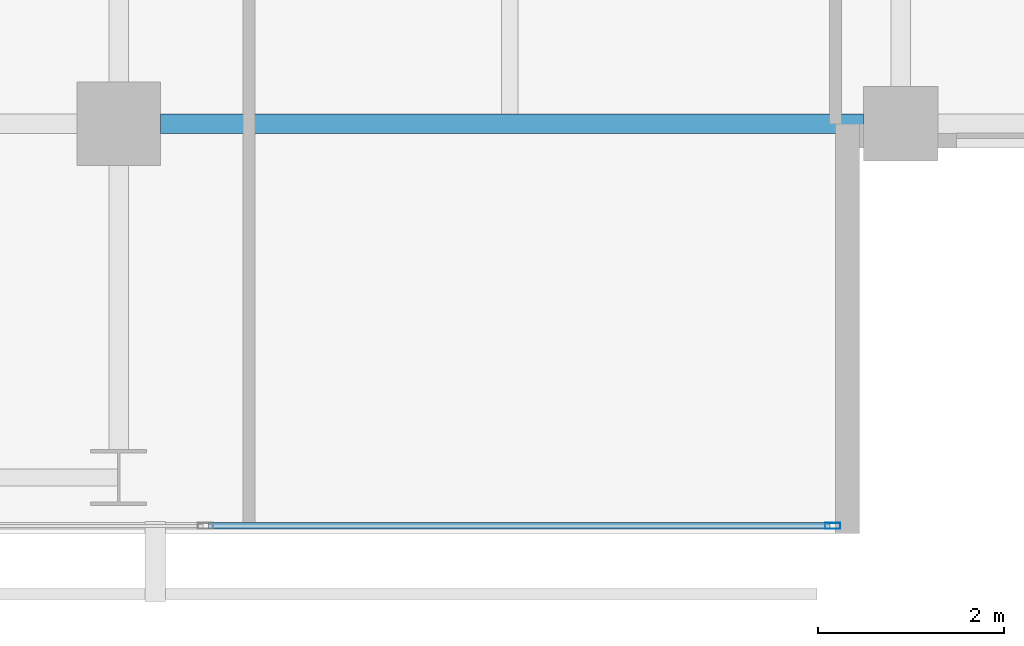
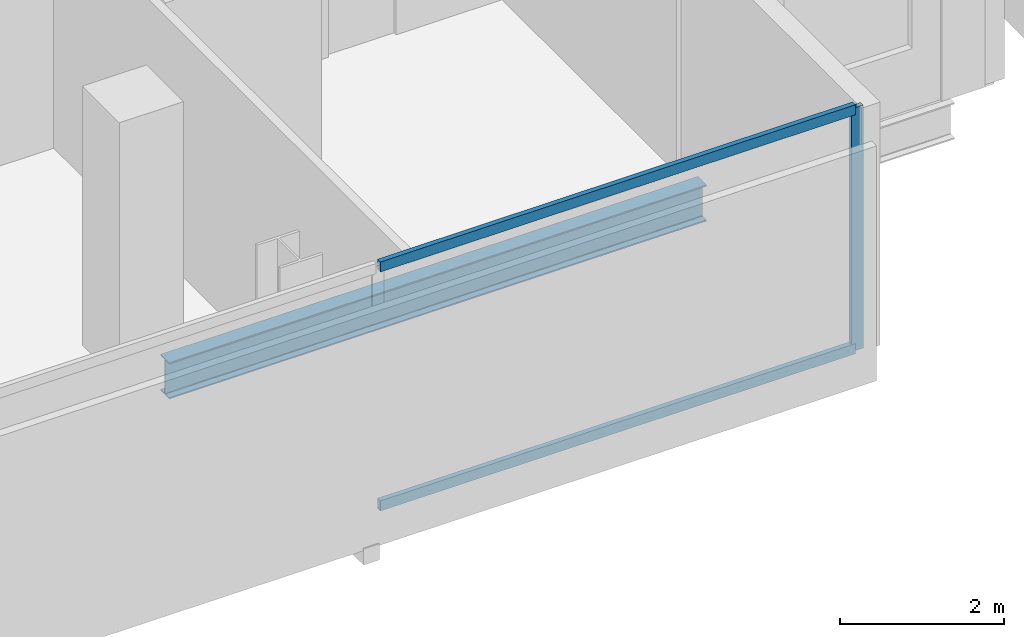
# One storey, part 13 of 33: 3 members, 1 beam, 1 element without a shape of its own.
"""IFC4 building model written with IfcOpenShell, lengths in metres."""

from ifc_helpers import new_model, si_unit, direction, frame, origin, origin_2d, place, context, subcontext, project, spatial, hollow_rectangle, i_section, extrude, material, layer, layer_set, material_profile, profile_set, type_object, element, aggregate, save


model = new_model("IFC4")

# Units and contexts
model_context = context("Model", 3, precision=1e-05, world=origin(), true_north=direction((0.0, 1.0)))
body_context = subcontext(model_context, "Body", "Model", "MODEL_VIEW")
ifc_project = project(units=[si_unit("LENGTHUNIT", "METRE"), si_unit("AREAUNIT", "SQUARE_METRE"), si_unit("VOLUMEUNIT", "CUBIC_METRE"), si_unit("PLANEANGLEUNIT", "RADIAN"), si_unit("MASSUNIT", "GRAM", prefix="KILO")], contexts=[model_context])

# Site, building, storey
site_placement = place(None, origin())
site = spatial("IfcSite", under=ifc_project, at=site_placement, CompositionType="ELEMENT")
building_placement = place(site_placement, origin())
building = spatial("IfcBuilding", under=site, at=building_placement, Name="Maruvema Waterfront Hotel and Observation Tower", CompositionType="ELEMENT")
storey_placement = place(building_placement, frame((0.0, 0.0, 200.550048828125)))
storey = spatial("IfcBuildingStorey", under=building, at=storey_placement, Name="L49", CompositionType="ELEMENT", Elevation=200.550048828125)

# Curtain wall, members
ifc_material_1 = material(Name="Anodised bronze aluminium and solar-control low-E IGU", Category="aluminium")
ifc_layer = layer(ifc_material_1, 0.159912109375, Name="Zone 2 Amber Inner Thermal Curtain Wall System CW-03")
ifc_layer_set = layer_set([ifc_layer], Name="Anodised bronze aluminium and solar-control low-E IGU")
curtain_wall_type = type_object("IfcCurtainWallType", Name="Zone 2 Amber Inner Thermal Curtain Wall System CW-03", PredefinedType="USERDEFINED", material=ifc_layer_set)
curtain_wall_placement = place(storey_placement, origin())
curtain_wall = element("IfcCurtainWall", 1, at=curtain_wall_placement, inside=storey, type_object=curtain_wall_type, Name="L49 Curtain Wall CW-L49-S", ObjectType="UNITISED CURTAIN WALL", PredefinedType="USERDEFINED")
ifc_material_2 = material(Name="Anodised architectural bronze aluminium", Category="aluminium")
ifc_material_profile_1 = material_profile(ifc_material_2, hollow_rectangle(XDim=0.070068359375, YDim=0.14990234375, WallThickness=0.00390625, at=origin_2d()), Name="ALU-T70x150")
ifc_profile_set_1 = profile_set([ifc_material_profile_1], Name="Anodised architectural bronze aluminium")
member_type_1 = type_object("IfcMemberType", Name="Curtain Wall Horizontal Transom ALU-T70x150", PredefinedType="USERDEFINED", material=ifc_profile_set_1)
member_1_placement = place(storey_placement, frame((51.36328125, 4.679931640625, 0.030029296875), z_axis=(1.0, 0.0, 0.0), x_axis=(0.0, 1.0, 0.0)))
member_1 = element("IfcMember", 2, at=member_1_placement, type_object=member_type_1, Name="CW-03 transom 6.1", ObjectType="TRANSOM", PredefinedType="USERDEFINED", context=body_context, shape_type="SweptSolid", body=[
    extrude(hollow_rectangle(XDim=0.070068359375, YDim=0.14990234375, WallThickness=0.00390625, at=origin_2d()), origin(), (0.0, 0.0, 1.0), 6.6767578125),
])
member_2_placement = place(storey_placement, frame((51.36328125, 4.679931640625, 3.579833984375), z_axis=(1.0, 0.0, 0.0), x_axis=(0.0, 1.0, 0.0)))
member_2 = element("IfcMember", 3, at=member_2_placement, type_object=member_type_1, Name="CW-03 transom 6.2", ObjectType="TRANSOM", PredefinedType="USERDEFINED", context=body_context, shape_type="SweptSolid", body=[
    extrude(hollow_rectangle(XDim=0.070068359375, YDim=0.14990234375, WallThickness=0.00390625, at=origin_2d()), origin(), (0.0, 0.0, 1.0), 6.6767578125),
])
ifc_material_3 = material(Name="Anodised architectural bronze aluminium", Category="aluminium")
ifc_material_profile_2 = material_profile(ifc_material_3, hollow_rectangle(XDim=0.06494140625, YDim=0.1650390625, WallThickness=0.00390625, at=origin_2d()), Name="ALU-M65x165")
ifc_profile_set_2 = profile_set([ifc_material_profile_2], Name="Anodised architectural bronze aluminium")
member_type_2 = type_object("IfcMemberType", Name="Curtain Wall Primary Mullion ALU-M65x165", PredefinedType="MULLION", material=ifc_profile_set_2)
member_3_placement = place(storey_placement, frame((58.070068359375, 4.679931640625, 0.0), z_axis=(0.0, 0.0, 1.0), x_axis=(0.0, 1.0, 0.0)))
member_3 = element("IfcMember", 4, at=member_3_placement, type_object=member_type_2, Name="CW-03 mullion 7", PredefinedType="MULLION", context=body_context, shape_type="SweptSolid", body=[
    extrude(hollow_rectangle(XDim=0.06494140625, YDim=0.1650390625, WallThickness=0.00390625, at=origin_2d()), origin(), (0.0, 0.0, 1.0), 3.60986328125),
])
aggregate(curtain_wall, [member_3, member_1, member_2])

# Beam
ifc_material_4 = material(Name="Steel ASTM A572 Grade 50", Category="steel")
ifc_material_profile_3 = material_profile(ifc_material_4, i_section(OverallWidth=0.2109375, OverallDepth=0.5390625, WebThickness=0.01171875, FlangeThickness=0.018798828125, FilletRadius=0.014892578125, at=origin_2d()), Name="W530x109.0")
ifc_profile_set_3 = profile_set([ifc_material_profile_3], Name="Steel ASTM A572 Grade 50")
beam_type = type_object("IfcBeamType", Name="Primary Floor Girder W530x109.0", PredefinedType="BEAM", material=ifc_profile_set_3)
beam_placement = place(storey_placement, frame((50.85009765625, 9.0, -0.509521484375), z_axis=(1.0, 0.0, 0.0), x_axis=(0.0, 1.0, 0.0)))
element("IfcBeam", 5, at=beam_placement, inside=storey, type_object=beam_type, Name="L49 Floor Girder EW-09", PredefinedType="BEAM", context=body_context, shape_type="SweptSolid", body=[
    extrude(i_section(OverallWidth=0.2109375, OverallDepth=0.5390625, WebThickness=0.01171875, FlangeThickness=0.018798828125, FilletRadius=0.014892578125, at=origin_2d()), origin(), (0.0, 0.0, 1.0), 7.5498046875),
])

save(model, "model.ifc")
